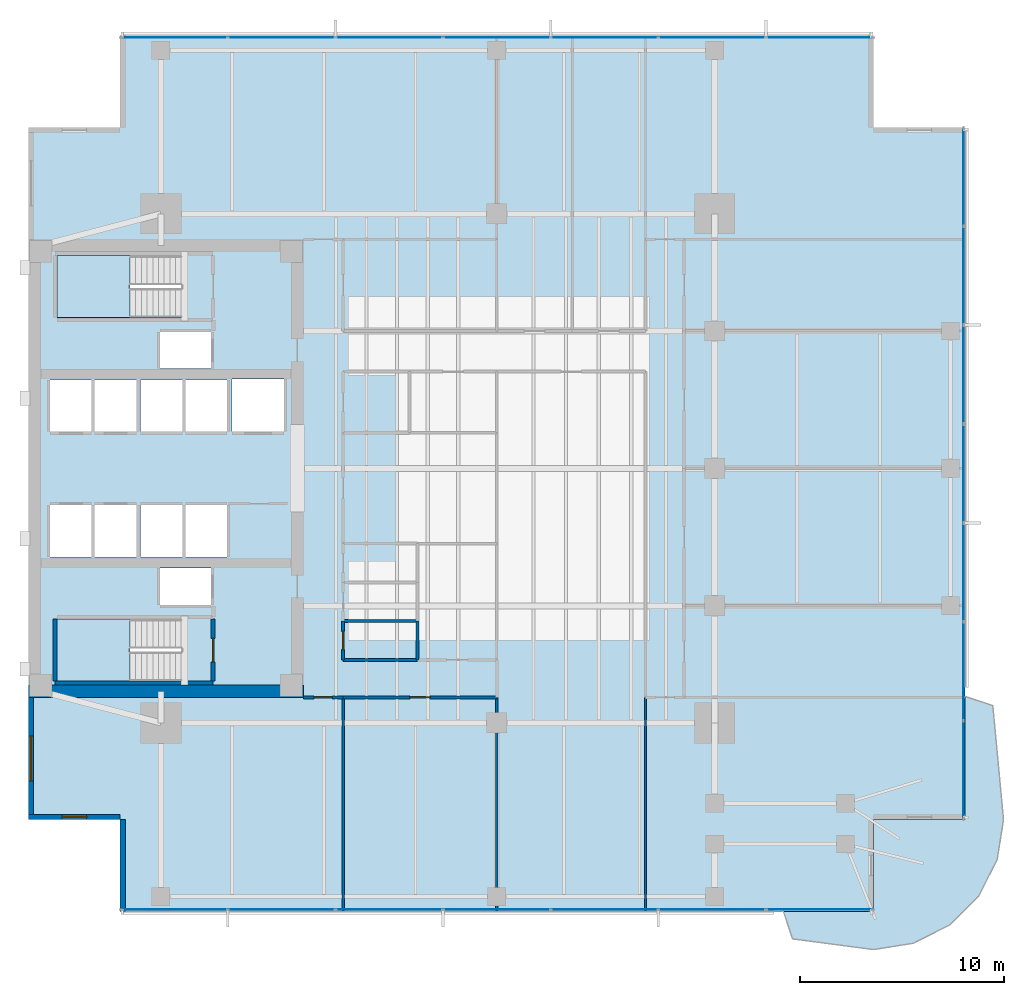
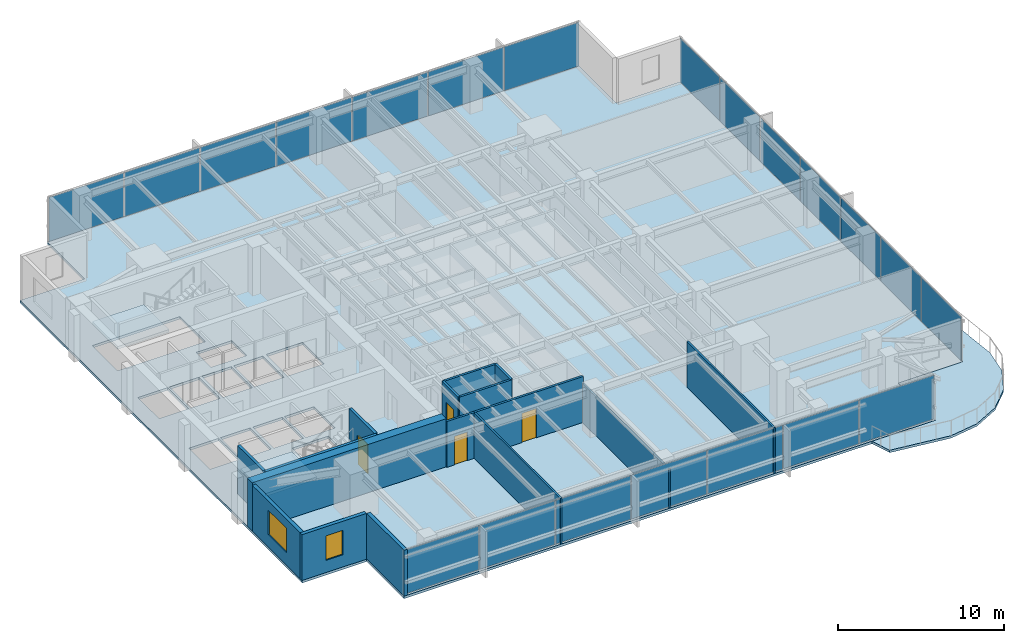
# One storey, part 7 of 14: 21 plates, 16 walls, 4 doors, 4 slabs, 2 windows, 6 openings, 5 elements without a shape of their own.
"""IFC4 building model written with IfcOpenShell, lengths in metres."""

from ifc_helpers import new_model, si_unit, direction, frame, frame_2d, origin, origin_2d, place, context, subcontext, project, spatial, polyline, rectangle, outline, extrude, material, layer, layer_set, type_object, element, fill, aggregate, save


model = new_model("IFC4")

# Units and contexts
model_context = context("Model", 3, precision=1e-05, world=origin(), true_north=direction((0.0, 1.0)))
body_context = subcontext(model_context, "Body", "Model", "MODEL_VIEW")
ifc_project = project(units=[si_unit("LENGTHUNIT", "METRE"), si_unit("AREAUNIT", "SQUARE_METRE"), si_unit("VOLUMEUNIT", "CUBIC_METRE"), si_unit("PLANEANGLEUNIT", "RADIAN"), si_unit("MASSUNIT", "GRAM", prefix="KILO")], contexts=[model_context])

# Site, building, storey
site_placement = place(None, origin())
site = spatial("IfcSite", under=ifc_project, at=site_placement, CompositionType="ELEMENT")
building_placement = place(site_placement, origin())
building = spatial("IfcBuilding", under=site, at=building_placement, Name="Kinhvarn Gate Tower", CompositionType="ELEMENT")
storey_placement = place(building_placement, frame((0.0, 0.0, 148.39990234375)))
storey = spatial("IfcBuildingStorey", under=building, at=storey_placement, Name="L39", CompositionType="ELEMENT", Elevation=148.39990234375)

# Curtain wall, plates
ifc_material_1 = material(Name="Anodised aluminium AW-6063", Category="aluminium")
ifc_layer_1 = layer(ifc_material_1, 0.179931640625)
ifc_layer_set_1 = layer_set([ifc_layer_1], Name="Anodised aluminium AW-6063")
curtain_wall_type = type_object("IfcCurtainWallType", Name="CW-SYS-3", PredefinedType="NOTDEFINED", material=ifc_layer_set_1)
curtain_wall_1_placement = place(storey_placement, origin())
curtain_wall_1 = element("IfcCurtainWall", 1, at=curtain_wall_1_placement, inside=storey, type_object=curtain_wall_type, Name="Curtain Wall CW3 (L39)", PredefinedType="NOTDEFINED")
ifc_material_2 = material(Name="Clear low-e double glazing", Category="glass")
ifc_layer_2 = layer(ifc_material_2, 0.031982421875)
ifc_layer_set_2 = layer_set([ifc_layer_2], Name="Clear low-e double glazing")
plate_type = type_object("IfcPlateType", Name="CW-PNL-VIS", PredefinedType="CURTAIN_PANEL", material=ifc_layer_set_2)
plate_1_placement = place(storey_placement, frame((11.6591796875, 3.590087890625, 0.070068359375), z_axis=(0.0, 0.0, 1.0), x_axis=(1.0, 0.0, 0.0)))
plate_1 = element("IfcPlate", 2, at=plate_1_placement, type_object=plate_type, Name="CW3 panel 1.1", PredefinedType="CURTAIN_PANEL", context=body_context, shape_type="SweptSolid", body=[
    extrude(rectangle(XDim=5.188232421875, YDim=0.031982421875, at=origin_2d()), origin(), (0.0, 0.0, 1.0), 3.22998046875),
])
plate_2_placement = place(storey_placement, frame((16.928466796875, 3.590087890625, 0.070068359375), z_axis=(0.0, 0.0, 1.0), x_axis=(1.0, 0.0, 0.0)))
plate_2 = element("IfcPlate", 3, at=plate_2_placement, type_object=plate_type, Name="CW3 panel 2.1", PredefinedType="CURTAIN_PANEL", context=body_context, shape_type="SweptSolid", body=[
    extrude(rectangle(XDim=5.220703125, YDim=0.031982421875, at=origin_2d()), origin(), (0.0, 0.0, 1.0), 3.22998046875),
])
plate_3_placement = place(storey_placement, frame((22.21435546875, 3.590087890625, 0.070068359375), z_axis=(0.0, 0.0, 1.0), x_axis=(1.0, 0.0, 0.0)))
plate_3 = element("IfcPlate", 4, at=plate_3_placement, type_object=plate_type, Name="CW3 panel 3.1", PredefinedType="CURTAIN_PANEL", context=body_context, shape_type="SweptSolid", body=[
    extrude(rectangle(XDim=5.220703125, YDim=0.031982421875, at=origin_2d()), origin(), (0.0, 0.0, 1.0), 3.22998046875),
])
plate_4_placement = place(storey_placement, frame((27.5, 3.590087890625, 0.070068359375), z_axis=(0.0, 0.0, 1.0), x_axis=(1.0, 0.0, 0.0)))
plate_4 = element("IfcPlate", 5, at=plate_4_placement, type_object=plate_type, Name="CW3 panel 4.1", PredefinedType="CURTAIN_PANEL", context=body_context, shape_type="SweptSolid", body=[
    extrude(rectangle(XDim=5.220703125, YDim=0.031982421875, at=origin_2d()), origin(), (0.0, 0.0, 1.0), 3.22998046875),
])
plate_5_placement = place(storey_placement, frame((32.78564453125, 3.590087890625, 0.070068359375), z_axis=(0.0, 0.0, 1.0), x_axis=(1.0, 0.0, 0.0)))
plate_5 = element("IfcPlate", 6, at=plate_5_placement, type_object=plate_type, Name="CW3 panel 5.1", PredefinedType="CURTAIN_PANEL", context=body_context, shape_type="SweptSolid", body=[
    extrude(rectangle(XDim=5.220703125, YDim=0.031982421875, at=origin_2d()), origin(), (0.0, 0.0, 1.0), 3.22998046875),
])
plate_6_placement = place(storey_placement, frame((38.071533203125, 3.590087890625, 0.070068359375), z_axis=(0.0, 0.0, 1.0), x_axis=(1.0, 0.0, 0.0)))
plate_6 = element("IfcPlate", 7, at=plate_6_placement, type_object=plate_type, Name="CW3 panel 6.1", PredefinedType="CURTAIN_PANEL", context=body_context, shape_type="SweptSolid", body=[
    extrude(rectangle(XDim=5.220703125, YDim=0.031982421875, at=origin_2d()), origin(), (0.0, 0.0, 1.0), 3.22998046875),
])
plate_7_placement = place(storey_placement, frame((43.3408203125, 3.590087890625, 0.070068359375), z_axis=(0.0, 0.0, 1.0), x_axis=(1.0, 0.0, 0.0)))
plate_7 = element("IfcPlate", 8, at=plate_7_placement, type_object=plate_type, Name="CW3 panel 7.1", PredefinedType="CURTAIN_PANEL", context=body_context, shape_type="SweptSolid", body=[
    extrude(rectangle(XDim=5.188232421875, YDim=0.031982421875, at=origin_2d()), origin(), (0.0, 0.0, 1.0), 3.22998046875),
])
aggregate(curtain_wall_1, [plate_1, plate_2, plate_3, plate_4, plate_5, plate_6, plate_7])

curtain_wall_2_placement = place(storey_placement, origin())
curtain_wall_2 = element("IfcCurtainWall", 9, at=curtain_wall_2_placement, inside=storey, type_object=curtain_wall_type, Name="Curtain Wall CW3 (L39)", PredefinedType="NOTDEFINED")
plate_8_placement = place(storey_placement, frame((43.3408203125, 46.409912109375, 0.070068359375), z_axis=(0.0, 0.0, 1.0), x_axis=(-1.0, 0.0, 0.0)))
plate_8 = element("IfcPlate", 10, at=plate_8_placement, type_object=plate_type, Name="CW3 panel 1.1", PredefinedType="CURTAIN_PANEL", context=body_context, shape_type="SweptSolid", body=[
    extrude(rectangle(XDim=5.188232421875, YDim=0.031982421875, at=origin_2d()), origin(), (0.0, 0.0, 1.0), 3.22998046875),
])
plate_9_placement = place(storey_placement, frame((38.071533203125, 46.409912109375, 0.070068359375), z_axis=(0.0, 0.0, 1.0), x_axis=(-1.0, 0.0, 0.0)))
plate_9 = element("IfcPlate", 11, at=plate_9_placement, type_object=plate_type, Name="CW3 panel 2.1", PredefinedType="CURTAIN_PANEL", context=body_context, shape_type="SweptSolid", body=[
    extrude(rectangle(XDim=5.220703125, YDim=0.031982421875, at=origin_2d()), origin(), (0.0, 0.0, 1.0), 3.22998046875),
])
plate_10_placement = place(storey_placement, frame((32.78564453125, 46.409912109375, 0.070068359375), z_axis=(0.0, 0.0, 1.0), x_axis=(-1.0, 0.0, 0.0)))
plate_10 = element("IfcPlate", 12, at=plate_10_placement, type_object=plate_type, Name="CW3 panel 3.1", PredefinedType="CURTAIN_PANEL", context=body_context, shape_type="SweptSolid", body=[
    extrude(rectangle(XDim=5.220703125, YDim=0.031982421875, at=origin_2d()), origin(), (0.0, 0.0, 1.0), 3.22998046875),
])
plate_11_placement = place(storey_placement, frame((27.5, 46.409912109375, 0.070068359375), z_axis=(0.0, 0.0, 1.0), x_axis=(-1.0, 0.0, 0.0)))
plate_11 = element("IfcPlate", 13, at=plate_11_placement, type_object=plate_type, Name="CW3 panel 4.1", PredefinedType="CURTAIN_PANEL", context=body_context, shape_type="SweptSolid", body=[
    extrude(rectangle(XDim=5.220703125, YDim=0.031982421875, at=origin_2d()), origin(), (0.0, 0.0, 1.0), 3.22998046875),
])
plate_12_placement = place(storey_placement, frame((22.21435546875, 46.409912109375, 0.070068359375), z_axis=(0.0, 0.0, 1.0), x_axis=(-1.0, 0.0, 0.0)))
plate_12 = element("IfcPlate", 14, at=plate_12_placement, type_object=plate_type, Name="CW3 panel 5.1", PredefinedType="CURTAIN_PANEL", context=body_context, shape_type="SweptSolid", body=[
    extrude(rectangle(XDim=5.220703125, YDim=0.031982421875, at=origin_2d()), origin(), (0.0, 0.0, 1.0), 3.22998046875),
])
plate_13_placement = place(storey_placement, frame((16.928466796875, 46.409912109375, 0.070068359375), z_axis=(0.0, 0.0, 1.0), x_axis=(-1.0, 0.0, 0.0)))
plate_13 = element("IfcPlate", 15, at=plate_13_placement, type_object=plate_type, Name="CW3 panel 6.1", PredefinedType="CURTAIN_PANEL", context=body_context, shape_type="SweptSolid", body=[
    extrude(rectangle(XDim=5.220703125, YDim=0.031982421875, at=origin_2d()), origin(), (0.0, 0.0, 1.0), 3.22998046875),
])
plate_14_placement = place(storey_placement, frame((11.6591796875, 46.409912109375, 0.070068359375), z_axis=(0.0, 0.0, 1.0), x_axis=(-1.0, 0.0, 0.0)))
plate_14 = element("IfcPlate", 16, at=plate_14_placement, type_object=plate_type, Name="CW3 panel 7.1", PredefinedType="CURTAIN_PANEL", context=body_context, shape_type="SweptSolid", body=[
    extrude(rectangle(XDim=5.188232421875, YDim=0.031982421875, at=origin_2d()), origin(), (0.0, 0.0, 1.0), 3.22998046875),
])
aggregate(curtain_wall_2, [plate_8, plate_9, plate_10, plate_11, plate_12, plate_13, plate_14])

curtain_wall_3_placement = place(storey_placement, origin())
curtain_wall_3 = element("IfcCurtainWall", 17, at=curtain_wall_3_placement, inside=storey, type_object=curtain_wall_type, Name="Curtain Wall CW3 (L39)", PredefinedType="NOTDEFINED")
plate_15_placement = place(storey_placement, frame((50.409912109375, 10.44482421875, 0.070068359375), z_axis=(0.0, 0.0, 1.0), x_axis=(0.0, 1.0, 0.0)))
plate_15 = element("IfcPlate", 18, at=plate_15_placement, type_object=plate_type, Name="CW3 panel 1.1", PredefinedType="CURTAIN_PANEL", context=body_context, shape_type="SweptSolid", body=[
    extrude(rectangle(XDim=4.759521484375, YDim=0.031982421875, at=origin_2d()), origin(), (0.0, 0.0, 1.0), 3.22998046875),
])
plate_16_placement = place(storey_placement, frame((50.409912109375, 15.28564453125, 0.070068359375), z_axis=(0.0, 0.0, 1.0), x_axis=(0.0, 1.0, 0.0)))
plate_16 = element("IfcPlate", 19, at=plate_16_placement, type_object=plate_type, Name="CW3 panel 2.1", PredefinedType="CURTAIN_PANEL", context=body_context, shape_type="SweptSolid", body=[
    extrude(rectangle(XDim=4.792236328125, YDim=0.031982421875, at=origin_2d()), origin(), (0.0, 0.0, 1.0), 3.22998046875),
])
plate_17_placement = place(storey_placement, frame((50.409912109375, 20.142822265625, 0.070068359375), z_axis=(0.0, 0.0, 1.0), x_axis=(0.0, 1.0, 0.0)))
plate_17 = element("IfcPlate", 20, at=plate_17_placement, type_object=plate_type, Name="CW3 panel 3.1", PredefinedType="CURTAIN_PANEL", context=body_context, shape_type="SweptSolid", body=[
    extrude(rectangle(XDim=4.792236328125, YDim=0.031982421875, at=origin_2d()), origin(), (0.0, 0.0, 1.0), 3.22998046875),
])
plate_18_placement = place(storey_placement, frame((50.409912109375, 25.0, 0.070068359375), z_axis=(0.0, 0.0, 1.0), x_axis=(0.0, 1.0, 0.0)))
plate_18 = element("IfcPlate", 21, at=plate_18_placement, type_object=plate_type, Name="CW3 panel 4.1", PredefinedType="CURTAIN_PANEL", context=body_context, shape_type="SweptSolid", body=[
    extrude(rectangle(XDim=4.792236328125, YDim=0.031982421875, at=origin_2d()), origin(), (0.0, 0.0, 1.0), 3.22998046875),
])
plate_19_placement = place(storey_placement, frame((50.409912109375, 29.857177734375, 0.070068359375), z_axis=(0.0, 0.0, 1.0), x_axis=(0.0, 1.0, 0.0)))
plate_19 = element("IfcPlate", 22, at=plate_19_placement, type_object=plate_type, Name="CW3 panel 5.1", PredefinedType="CURTAIN_PANEL", context=body_context, shape_type="SweptSolid", body=[
    extrude(rectangle(XDim=4.792236328125, YDim=0.031982421875, at=origin_2d()), origin(), (0.0, 0.0, 1.0), 3.22998046875),
])
plate_20_placement = place(storey_placement, frame((50.409912109375, 34.71435546875, 0.070068359375), z_axis=(0.0, 0.0, 1.0), x_axis=(0.0, 1.0, 0.0)))
plate_20 = element("IfcPlate", 23, at=plate_20_placement, type_object=plate_type, Name="CW3 panel 6.1", PredefinedType="CURTAIN_PANEL", context=body_context, shape_type="SweptSolid", body=[
    extrude(rectangle(XDim=4.792236328125, YDim=0.031982421875, at=origin_2d()), origin(), (0.0, 0.0, 1.0), 3.22998046875),
])
plate_21_placement = place(storey_placement, frame((50.409912109375, 39.55517578125, 0.070068359375), z_axis=(0.0, 0.0, 1.0), x_axis=(0.0, 1.0, 0.0)))
plate_21 = element("IfcPlate", 24, at=plate_21_placement, type_object=plate_type, Name="CW3 panel 7.1", PredefinedType="CURTAIN_PANEL", context=body_context, shape_type="SweptSolid", body=[
    extrude(rectangle(XDim=4.759521484375, YDim=0.031982421875, at=origin_2d()), origin(), (0.0, 0.0, 1.0), 3.22998046875),
])
aggregate(curtain_wall_3, [plate_15, plate_16, plate_17, plate_18, plate_19, plate_20, plate_21])

# Slabs
ifc_material_3 = material(Name="Precast white architectural concrete C40/50", Category="concrete")
ifc_layer_3 = layer(ifc_material_3, 0.179931640625)
ifc_layer_set_3 = layer_set([ifc_layer_3], Name="Precast white architectural concrete C40/50")
slab_type_1 = type_object("IfcSlabType", Name="SLB-BAL-180", PredefinedType="FLOOR", material=ifc_layer_set_3)
slab_1_placement = place(storey_placement, frame((0.0, 0.0, -0.179931640625)))
element("IfcSlab", 25, at=slab_1_placement, inside=storey, type_object=slab_type_1, Name="S-Carve Curved Terrace Balcony Slab L39 (SE)", PredefinedType="FLOOR", context=body_context, shape_type="SweptSolid", body=[
    extrude(outline(polyline([(41.569091796875, 3.5), (42.01904296875, 2.145751953125), (46.0, 1.618896484375), (47.9716796875, 1.931396484375), (49.750732421875, 2.837646484375), (51.162353515625, 4.249267578125), (52.068603515625, 6.0283203125), (52.381103515625, 8.0), (51.854248046875, 13.59912109375), (50.5, 14.049072265625), (50.5, 8.0), (46.0, 8.0), (46.0, 3.5), (41.569091796875, 3.5)])), origin(), (0.0, 0.0, 1.0), 0.179931640625),
])
ifc_material_4 = material(Name="Concrete C40/50", Category="concrete")
ifc_layer_4 = layer(ifc_material_4, 0.179931640625)
ifc_layer_set_4 = layer_set([ifc_layer_4], Name="Concrete C40/50")
slab_type_2 = type_object("IfcSlabType", Name="SLB-FLR-180", PredefinedType="FLOOR", material=ifc_layer_set_4)
slab_2_placement = place(storey_placement, frame((0.0, 0.0, -0.179931640625)))
element("IfcSlab", 26, at=slab_2_placement, inside=storey, type_object=slab_type_2, Name="Suspended Floor Slab L39", PredefinedType="FLOOR", context=body_context, shape_type="SweptSolid", body=[
    extrude(outline(polyline([(9.0, 3.5), (46.0, 3.5), (46.0, 8.0), (50.5, 8.0), (50.5, 42.0), (46.0, 42.0), (46.0, 46.5), (9.0, 46.5), (9.0, 42.0), (4.5, 42.0), (4.5, 8.0), (9.0, 8.0), (9.0, 3.5)]), holes=[polyline([(5.89990234375, 14.800048828125), (12.0, 14.800048828125), (12.0, 17.85009765625), (5.89990234375, 17.85009765625), (5.89990234375, 14.800048828125)]), polyline([(5.89990234375, 32.64990234375), (12.0, 32.64990234375), (12.0, 35.699951171875), (5.89990234375, 35.699951171875), (5.89990234375, 32.64990234375)]), polyline([(5.550048828125, 20.89990234375), (7.60009765625, 20.89990234375), (7.60009765625, 23.449951171875), (5.550048828125, 23.449951171875), (5.550048828125, 20.89990234375)]), polyline([(7.75, 20.89990234375), (9.800048828125, 20.89990234375), (9.800048828125, 23.449951171875), (7.75, 23.449951171875), (7.75, 20.89990234375)]), polyline([(5.550048828125, 27.050048828125), (7.60009765625, 27.050048828125), (7.60009765625, 29.60009765625), (5.550048828125, 29.60009765625), (5.550048828125, 27.050048828125)]), polyline([(7.75, 27.050048828125), (9.800048828125, 27.050048828125), (9.800048828125, 29.60009765625), (7.75, 29.60009765625), (7.75, 27.050048828125)]), polyline([(10.0, 20.89990234375), (12.050048828125, 20.89990234375), (12.050048828125, 23.449951171875), (10.0, 23.449951171875), (10.0, 20.89990234375)]), polyline([(12.199951171875, 20.89990234375), (14.25, 20.89990234375), (14.25, 23.449951171875), (12.199951171875, 23.449951171875), (12.199951171875, 20.89990234375)]), polyline([(10.0, 27.050048828125), (12.050048828125, 27.050048828125), (12.050048828125, 29.60009765625), (10.0, 29.60009765625), (10.0, 27.050048828125)]), polyline([(12.199951171875, 27.050048828125), (14.25, 27.050048828125), (14.25, 29.60009765625), (12.199951171875, 29.60009765625), (12.199951171875, 27.050048828125)]), polyline([(14.5, 27.050048828125), (17.050048828125, 27.050048828125), (17.050048828125, 29.64990234375), (14.5, 29.64990234375), (14.5, 27.050048828125)]), polyline([(10.949951171875, 18.550048828125), (13.449951171875, 18.550048828125), (13.449951171875, 20.35009765625), (10.949951171875, 20.35009765625), (10.949951171875, 18.550048828125)]), polyline([(10.949951171875, 30.14990234375), (13.449951171875, 30.14990234375), (13.449951171875, 31.949951171875), (10.949951171875, 31.949951171875), (10.949951171875, 30.14990234375)])]), origin(), (0.0, 0.0, 1.0), 0.179931640625),
])

# Stair, slab
stair_type = type_object("IfcStairType", Name="STR-DLG-177", PredefinedType="HALF_TURN_STAIR", material=ifc_material_4)
stair_1_placement = place(storey_placement, origin())
stair_1 = element("IfcStair", 27, at=stair_1_placement, inside=storey, type_object=stair_type, Name="L39 Core Smokeproof Exit Stair ST1", PredefinedType="HALF_TURN_STAIR")
ifc_layer_5 = layer(ifc_material_4, 0.199951171875)
ifc_layer_set_5 = layer_set([ifc_layer_5], Name="Concrete C40/50")
slab_type_3 = type_object("IfcSlabType", Name="SLB-ST-LND", PredefinedType="LANDING", material=ifc_layer_set_5)
slab_3_placement = place(storey_placement, frame((0.0, 0.0, 1.5751953125)))
slab_3 = element("IfcSlab", 28, at=slab_3_placement, type_object=slab_type_3, Name="ST1 landing 1", PredefinedType="LANDING", context=body_context, shape_type="SweptSolid", body=[
    extrude(outline(polyline([(9.47998046875, 17.85009765625), (5.89990234375, 17.85009765625), (5.89990234375, 14.800048828125), (9.47998046875, 14.800048828125), (9.47998046875, 17.85009765625)])), origin(), (0.0, 0.0, 1.0), 0.199951171875),
])
aggregate(stair_1, [slab_3])

stair_2_placement = place(storey_placement, origin())
stair_2 = element("IfcStair", 29, at=stair_2_placement, inside=storey, type_object=stair_type, Name="L39 Core Smokeproof Exit Stair ST2", PredefinedType="HALF_TURN_STAIR")
slab_4_placement = place(storey_placement, frame((0.0, 0.0, 1.5751953125)))
slab_4 = element("IfcSlab", 30, at=slab_4_placement, type_object=slab_type_3, Name="ST2 landing 1", PredefinedType="LANDING", context=body_context, shape_type="SweptSolid", body=[
    extrude(outline(polyline([(9.47998046875, 35.699951171875), (5.89990234375, 35.699951171875), (5.89990234375, 32.64990234375), (9.47998046875, 32.64990234375), (9.47998046875, 35.699951171875)])), origin(), (0.0, 0.0, 1.0), 0.199951171875),
])
aggregate(stair_2, [slab_4])

# Wall
ifc_material_5 = material(Name="Concrete C60/75", Category="concrete")
ifc_layer_6 = layer(ifc_material_5, 0.60009765625)
ifc_layer_set_6 = layer_set([ifc_layer_6], Name="Concrete C60/75")
wall_type_1 = type_object("IfcWallType", Name="WL-CORE-600", PredefinedType="SHEAR", material=ifc_layer_set_6)
wall_1_placement = place(storey_placement, frame((4.5, 14.300048828125, 0.0), z_axis=(0.0, 0.0, 1.0), x_axis=(1.0, 0.0, 0.0)))
element("IfcWall", 31, at=wall_1_placement, inside=storey, type_object=wall_type_1, Name="Core South Shear Wall L39 600 mm", PredefinedType="SHEAR", context=body_context, shape_type="SweptSolid", body=[
    extrude(rectangle(XDim=13.5, YDim=0.60009765625, at=frame_2d((6.75, 0.0))), origin(), (0.0, 0.0, 1.0), 3.550048828125),
])

# Wall, opening, window
ifc_material_6 = material(Name="Fired architectural terracotta", Category="masonry")
ifc_layer_7 = layer(ifc_material_6, 0.25)
ifc_layer_set_7 = layer_set([ifc_layer_7], Name="Fired architectural terracotta")
wall_type_2 = type_object("IfcWallType", Name="WL-EXT-250", PredefinedType="SOLIDWALL", material=ifc_layer_set_7)
wall_2_placement = place(storey_placement, frame((4.625, 14.0, 0.0), z_axis=(0.0, 0.0, 1.0), x_axis=(0.0, -1.0, 0.0)))
wall_2 = element("IfcWall", 32, at=wall_2_placement, inside=storey, type_object=wall_type_2, Name="Exterior Solidwall Wall EW-250 (L39 West-South)", PredefinedType="SOLIDWALL", context=body_context, shape_type="SweptSolid", body=[
    extrude(rectangle(XDim=6.0, YDim=0.25, at=frame_2d((3.0, 0.0))), origin(), (0.0, 0.0, 1.0), 3.3701171875),
])
opening_1_placement = place(wall_2_placement, frame((1.89990234375, 0.0, 0.89990234375)))
opening_1 = element("IfcOpeningElement", 33, at=opening_1_placement, cuts=wall_2, Name="Opening WN-01", PredefinedType="OPENING", context=body_context, shape_type="SweptSolid", body=[
    extrude(rectangle(XDim=2.199951171875, YDim=1.800048828125, at=frame_2d((1.10009765625, 0.89990234375))), frame((0.0, 0.135009765625, 0.0), z_axis=(0.0, -1.0, 0.0), x_axis=(1.0, 0.0, 0.0)), (0.0, 0.0, 1.0), 0.27001953125),
])
window_type_1 = type_object("IfcWindowType", Name="WIN-RIB-2200", PartitioningType="SINGLE_PANEL", PredefinedType="WINDOW", material=ifc_material_2)
window_1_placement = place(opening_1_placement, origin())
window_1 = element("IfcWindow", 34, at=window_1_placement, inside=storey, type_object=window_type_1, Name="West Flank Double-Glazed Ribbon Window 2200x1800 mm (L39)", OverallHeight=1.800048828125, OverallWidth=2.199951171875, PartitioningType="SINGLE_PANEL", PredefinedType="WINDOW", context=body_context, shape_type="SweptSolid", body=[
    extrude(rectangle(XDim=2.199951171875, YDim=1.800048828125, at=frame_2d((1.10009765625, 0.89990234375))), frame((0.0, 0.030029296875, 0.0), z_axis=(0.0, -1.0, 0.0), x_axis=(1.0, 0.0, 0.0)), (0.0, 0.0, 1.0), 0.06005859375),
])
fill(opening_1, window_1)

wall_3_placement = place(storey_placement, frame((4.5, 8.125, 0.0), z_axis=(0.0, 0.0, 1.0), x_axis=(1.0, 0.0, 0.0)))
wall_3 = element("IfcWall", 35, at=wall_3_placement, inside=storey, type_object=wall_type_2, Name="Exterior Solidwall Wall EW-250 (L39 SW-Notch-1)", PredefinedType="SOLIDWALL", context=body_context, shape_type="SweptSolid", body=[
    extrude(rectangle(XDim=4.5, YDim=0.25, at=frame_2d((2.25, 0.0))), origin(), (0.0, 0.0, 1.0), 3.3701171875),
])
opening_2_placement = place(wall_3_placement, frame((1.64990234375, 0.0, 0.89990234375)))
opening_2 = element("IfcOpeningElement", 36, at=opening_2_placement, cuts=wall_3, Name="Opening WN-02", PredefinedType="OPENING", context=body_context, shape_type="SweptSolid", body=[
    extrude(rectangle(XDim=1.199951171875, YDim=1.800048828125, at=frame_2d((0.60009765625, 0.89990234375))), frame((0.0, 0.135009765625, 0.0), z_axis=(0.0, -1.0, 0.0), x_axis=(1.0, 0.0, 0.0)), (0.0, 0.0, 1.0), 0.27001953125),
])
window_type_2 = type_object("IfcWindowType", Name="WIN-NTC-1200", PartitioningType="SINGLE_PANEL", PredefinedType="WINDOW", material=ifc_material_2)
window_2_placement = place(opening_2_placement, origin())
window_2 = element("IfcWindow", 37, at=window_2_placement, inside=storey, type_object=window_type_2, Name="Recessed Corner Notch Punched Window 1200x1800 mm (L39)", OverallHeight=1.800048828125, OverallWidth=1.199951171875, PartitioningType="SINGLE_PANEL", PredefinedType="WINDOW", context=body_context, shape_type="SweptSolid", body=[
    extrude(rectangle(XDim=1.199951171875, YDim=1.800048828125, at=frame_2d((0.60009765625, 0.89990234375))), frame((0.0, 0.030029296875, 0.0), z_axis=(0.0, -1.0, 0.0), x_axis=(1.0, 0.0, 0.0)), (0.0, 0.0, 1.0), 0.06005859375),
])
fill(opening_2, window_2)

# Walls
wall_4_placement = place(storey_placement, frame((9.125, 8.0, 0.0), z_axis=(0.0, 0.0, 1.0), x_axis=(0.0, -1.0, 0.0)))
element("IfcWall", 38, at=wall_4_placement, inside=storey, type_object=wall_type_2, Name="Exterior Solidwall Wall EW-250 (L39 SW-Notch-2)", PredefinedType="SOLIDWALL", context=body_context, shape_type="SweptSolid", body=[
    extrude(rectangle(XDim=4.5, YDim=0.25, at=frame_2d((2.25, 0.0))), origin(), (0.0, 0.0, 1.0), 3.3701171875),
])
ifc_material_7 = material(Name="Gypsum acoustic partition board")
ifc_layer_8 = layer(ifc_material_7, 0.14990234375)
ifc_layer_set_8 = layer_set([ifc_layer_8], Name="Gypsum acoustic partition board")
wall_type_3 = type_object("IfcWallType", Name="WL-PLM-150", PredefinedType="PLUMBINGWALL", material=ifc_layer_set_8)
wall_5_placement = place(storey_placement, frame((19.949951171875, 17.75, 0.0), z_axis=(0.0, 0.0, 1.0), x_axis=(1.0, 0.0, 0.0)))
element("IfcWall", 39, at=wall_5_placement, inside=storey, type_object=wall_type_3, Name="Interior Partition PLW-150 (L39)", PredefinedType="PLUMBINGWALL", context=body_context, shape_type="SweptSolid", body=[
    extrude(rectangle(XDim=3.650146484375, YDim=0.14990234375, at=frame_2d((1.8251953125, 0.0))), origin(), (0.0, 0.0, 1.0), 3.3701171875),
])
wall_6_placement = place(storey_placement, frame((23.60009765625, 15.85009765625, 0.0), z_axis=(0.0, 0.0, 1.0), x_axis=(0.0, 1.0, 0.0)))
element("IfcWall", 40, at=wall_6_placement, inside=storey, type_object=wall_type_3, Name="Interior Partition PLW-150 (L39)", PredefinedType="PLUMBINGWALL", context=body_context, shape_type="SweptSolid", body=[
    extrude(rectangle(XDim=1.89990234375, YDim=0.14990234375, at=frame_2d((0.949951171875, 0.0))), origin(), (0.0, 0.0, 1.0), 3.3701171875),
])

# Wall, opening, door
ifc_layer_9 = layer(ifc_material_7, 0.14990234375)
ifc_layer_set_9 = layer_set([ifc_layer_9], Name="Gypsum acoustic partition board")
wall_type_4 = type_object("IfcWallType", Name="WL-PLM-150F", PredefinedType="PLUMBINGWALL", material=ifc_layer_set_9)
wall_7_placement = place(storey_placement, frame((19.949951171875, 15.85009765625, 0.0), z_axis=(0.0, 0.0, 1.0), x_axis=(0.0, 1.0, 0.0)))
wall_7 = element("IfcWall", 41, at=wall_7_placement, inside=storey, type_object=wall_type_4, Name="Interior Partition PLW-150F (L39)", PredefinedType="PLUMBINGWALL", context=body_context, shape_type="SweptSolid", body=[
    extrude(rectangle(XDim=1.89990234375, YDim=0.14990234375, at=frame_2d((0.949951171875, 0.0))), origin(), (0.0, 0.0, 1.0), 3.3701171875),
])
opening_3_placement = place(wall_7_placement, frame((0.5, 0.0, 0.0)))
opening_3 = element("IfcOpeningElement", 42, at=opening_3_placement, cuts=wall_7, Name="Opening FD-04", PredefinedType="OPENING", context=body_context, shape_type="SweptSolid", body=[
    extrude(rectangle(XDim=0.89990234375, YDim=2.10009765625, at=frame_2d((0.449951171875, 1.050048828125))), frame((0.0, 0.0849609375, 0.0), z_axis=(0.0, -1.0, 0.0), x_axis=(1.0, 0.0, 0.0)), (0.0, 0.0, 1.0), 0.169921875),
])
door_type_1 = type_object("IfcDoorType", Name="DR-FD-900", OperationType="NOTDEFINED", PredefinedType="DOOR", material=ifc_material_1)
door_1_placement = place(opening_3_placement, origin())
door_1 = element("IfcDoor", 43, at=door_1_placement, inside=storey, type_object=door_type_1, Name="Rated Riser & Service Closet Fire Door 900x2100 mm (L39)", OperationType="SINGLE_SWING_RIGHT", OverallHeight=2.10009765625, OverallWidth=0.89990234375, PredefinedType="DOOR", context=body_context, shape_type="SweptSolid", body=[
    extrude(rectangle(XDim=0.89990234375, YDim=2.10009765625, at=frame_2d((0.449951171875, 1.050048828125))), frame((0.0, 0.02490234375, 0.0), z_axis=(0.0, -1.0, 0.0), x_axis=(1.0, 0.0, 0.0)), (0.0, 0.0, 1.0), 0.050048828125),
])
fill(opening_3, door_1)

# Walls
wall_8_placement = place(storey_placement, frame((19.949951171875, 15.85009765625, 0.0), z_axis=(0.0, 0.0, 1.0), x_axis=(1.0, 0.0, 0.0)))
element("IfcWall", 44, at=wall_8_placement, inside=storey, type_object=wall_type_4, Name="Interior Partition PLW-150F (L39)", PredefinedType="PLUMBINGWALL", context=body_context, shape_type="SweptSolid", body=[
    extrude(rectangle(XDim=3.650146484375, YDim=0.14990234375, at=frame_2d((1.8251953125, 0.0))), origin(), (0.0, 0.0, 1.0), 3.3701171875),
])
ifc_layer_10 = layer(ifc_material_7, 0.1201171875)
ifc_layer_set_10 = layer_set([ifc_layer_10], Name="Gypsum acoustic partition board")
wall_type_5 = type_object("IfcWallType", Name="WL-PRT-120", PredefinedType="PARTITIONING", material=ifc_layer_set_10)
wall_9_placement = place(storey_placement, frame((19.949951171875, 3.510009765625, 0.0), z_axis=(0.0, 0.0, 1.0), x_axis=(0.0, 1.0, 0.0)))
element("IfcWall", 45, at=wall_9_placement, inside=storey, type_object=wall_type_5, Name="Interior Partition PW-120 (L39)", PredefinedType="PARTITIONING", context=body_context, shape_type="SweptSolid", body=[
    extrude(rectangle(XDim=10.489990234375, YDim=0.1201171875, at=frame_2d((5.2451171875, 0.0))), origin(), (0.0, 0.0, 1.0), 3.3701171875),
])
wall_10_placement = place(storey_placement, frame((27.5, 3.510009765625, 0.0), z_axis=(0.0, 0.0, 1.0), x_axis=(0.0, 1.0, 0.0)))
element("IfcWall", 46, at=wall_10_placement, inside=storey, type_object=wall_type_5, Name="Interior Partition PW-120 (L39)", PredefinedType="PARTITIONING", context=body_context, shape_type="SweptSolid", body=[
    extrude(rectangle(XDim=10.489990234375, YDim=0.1201171875, at=frame_2d((5.2451171875, 0.0))), origin(), (0.0, 0.0, 1.0), 2.8701171875),
])
wall_11_placement = place(storey_placement, frame((34.800048828125, 3.510009765625, 0.0), z_axis=(0.0, 0.0, 1.0), x_axis=(0.0, 1.0, 0.0)))
element("IfcWall", 47, at=wall_11_placement, inside=storey, type_object=wall_type_5, Name="Interior Partition PW-120 (L39)", PredefinedType="PARTITIONING", context=body_context, shape_type="SweptSolid", body=[
    extrude(rectangle(XDim=10.489990234375, YDim=0.1201171875, at=frame_2d((5.2451171875, 0.0))), origin(), (0.0, 0.0, 1.0), 3.3701171875),
])

# Wall, opening, door
ifc_layer_11 = layer(ifc_material_7, 0.14990234375)
ifc_layer_set_11 = layer_set([ifc_layer_11], Name="Gypsum acoustic partition board")
wall_type_6 = type_object("IfcWallType", Name="WL-PRT-150F", PredefinedType="PARTITIONING", material=ifc_layer_set_11)
wall_12_placement = place(storey_placement, frame((18.0, 14.0, 0.0), z_axis=(0.0, 0.0, 1.0), x_axis=(1.0, 0.0, 0.0)))
wall_12 = element("IfcWall", 48, at=wall_12_placement, inside=storey, type_object=wall_type_6, Name="Interior Partition PW-150F (L39)", PredefinedType="PARTITIONING", context=body_context, shape_type="SweptSolid", body=[
    extrude(rectangle(XDim=1.949951171875, YDim=0.14990234375, at=frame_2d((0.97509765625, 0.0))), origin(), (0.0, 0.0, 1.0), 3.3701171875),
])
opening_4_placement = place(wall_12_placement, frame((0.52490234375, 0.0, 0.0)))
opening_4 = element("IfcOpeningElement", 49, at=opening_4_placement, cuts=wall_12, Name="Opening ID-03", PredefinedType="OPENING", context=body_context, shape_type="SweptSolid", body=[
    extrude(rectangle(XDim=0.89990234375, YDim=2.10009765625, at=frame_2d((0.449951171875, 1.050048828125))), frame((0.0, 0.0849609375, 0.0), z_axis=(0.0, -1.0, 0.0), x_axis=(1.0, 0.0, 0.0)), (0.0, 0.0, 1.0), 0.169921875),
])
door_type_2 = type_object("IfcDoorType", Name="DR-INT-900", OperationType="NOTDEFINED", PredefinedType="DOOR", material=ifc_material_1)
door_2_placement = place(opening_4_placement, origin())
door_2 = element("IfcDoor", 50, at=door_2_placement, inside=storey, type_object=door_type_2, Name="Cellular Office & Restroom Door 900x2100 mm (L39)", OperationType="SINGLE_SWING_RIGHT", OverallHeight=2.10009765625, OverallWidth=0.89990234375, PredefinedType="DOOR", context=body_context, shape_type="SweptSolid", body=[
    extrude(rectangle(XDim=0.89990234375, YDim=2.10009765625, at=frame_2d((0.449951171875, 1.050048828125))), frame((0.0, 0.02490234375, 0.0), z_axis=(0.0, -1.0, 0.0), x_axis=(1.0, 0.0, 0.0)), (0.0, 0.0, 1.0), 0.050048828125),
])
fill(opening_4, door_2)

wall_13_placement = place(storey_placement, frame((19.949951171875, 14.0, 0.0), z_axis=(0.0, 0.0, 1.0), x_axis=(1.0, 0.0, 0.0)))
wall_13 = element("IfcWall", 51, at=wall_13_placement, inside=storey, type_object=wall_type_6, Name="Interior Partition PW-150F (L39)", PredefinedType="PARTITIONING", context=body_context, shape_type="SweptSolid", body=[
    extrude(rectangle(XDim=7.550048828125, YDim=0.14990234375, at=frame_2d((3.77490234375, 0.0))), origin(), (0.0, 0.0, 1.0), 3.3701171875),
])
opening_5_placement = place(wall_13_placement, frame((3.27490234375, 0.0, 0.0)))
opening_5 = element("IfcOpeningElement", 52, at=opening_5_placement, cuts=wall_13, Name="Opening ID-02", PredefinedType="OPENING", context=body_context, shape_type="SweptSolid", body=[
    extrude(rectangle(XDim=1.0, YDim=2.14990234375, at=frame_2d((0.5, 1.074951171875))), frame((0.0, 0.0849609375, 0.0), z_axis=(0.0, -1.0, 0.0), x_axis=(1.0, 0.0, 0.0)), (0.0, 0.0, 1.0), 0.169921875),
])
door_type_3 = type_object("IfcDoorType", Name="DR-INT-1000", OperationType="NOTDEFINED", PredefinedType="DOOR", material=ifc_material_1)
door_3_placement = place(opening_5_placement, origin())
door_3 = element("IfcDoor", 53, at=door_3_placement, inside=storey, type_object=door_type_3, Name="Standard Office & Meeting Room Door 1000x2150 mm (L39)", OperationType="SINGLE_SWING_LEFT", OverallHeight=2.14990234375, OverallWidth=1.0, PredefinedType="DOOR", context=body_context, shape_type="SweptSolid", body=[
    extrude(rectangle(XDim=1.0, YDim=2.14990234375, at=frame_2d((0.5, 1.074951171875))), frame((0.0, 0.02490234375, 0.0), z_axis=(0.0, -1.0, 0.0), x_axis=(1.0, 0.0, 0.0)), (0.0, 0.0, 1.0), 0.050048828125),
])
fill(opening_5, door_3)

# Walls
ifc_layer_12 = layer(ifc_material_4, 0.199951171875)
ifc_layer_set_12 = layer_set([ifc_layer_12], Name="Concrete C40/50")
wall_type_7 = type_object("IfcWallType", Name="WL-SHF-200", PredefinedType="SOLIDWALL", material=ifc_layer_set_12)
wall_14_placement = place(storey_placement, frame((5.800048828125, 14.699951171875, 0.0), z_axis=(0.0, 0.0, 1.0), x_axis=(1.0, 0.0, 0.0)))
element("IfcWall", 54, at=wall_14_placement, inside=storey, type_object=wall_type_7, Name="Stair ST1 South Shaft Wall (L39)", PredefinedType="SOLIDWALL", context=body_context, shape_type="SweptSolid", body=[
    extrude(rectangle(XDim=7.75, YDim=0.199951171875, at=frame_2d((3.875, 0.0))), origin(), (0.0, 0.0, 1.0), 3.550048828125),
])
wall_15_placement = place(storey_placement, frame((5.7900390625, 14.800048828125, 0.0), z_axis=(0.0, 0.0, 1.0), x_axis=(0.0, 1.0, 0.0)))
element("IfcWall", 55, at=wall_15_placement, inside=storey, type_object=wall_type_7, Name="Stair ST1 West Shaft Wall (L39)", PredefinedType="SOLIDWALL", context=body_context, shape_type="SweptSolid", body=[
    extrude(rectangle(XDim=3.050048828125, YDim=0.199951171875, at=frame_2d((1.52490234375, 0.0))), origin(), (0.0, 0.0, 1.0), 3.550048828125),
])

# Wall, opening, door
wall_16_placement = place(storey_placement, frame((13.56005859375, 14.800048828125, 0.0), z_axis=(0.0, 0.0, 1.0), x_axis=(0.0, 1.0, 0.0)))
wall_16 = element("IfcWall", 56, at=wall_16_placement, inside=storey, type_object=wall_type_7, Name="Stair ST1 East Entry Wall (L39)", PredefinedType="SOLIDWALL", context=body_context, shape_type="SweptSolid", body=[
    extrude(rectangle(XDim=3.050048828125, YDim=0.199951171875, at=frame_2d((1.52490234375, 0.0))), origin(), (0.0, 0.0, 1.0), 3.550048828125),
])
opening_6_placement = place(wall_16_placement, frame((0.949951171875, 0.0, 0.0)))
opening_6 = element("IfcOpeningElement", 57, at=opening_6_placement, cuts=wall_16, Name="Opening FD-01", PredefinedType="OPENING", context=body_context, shape_type="SweptSolid", body=[
    extrude(rectangle(XDim=1.14990234375, YDim=2.14990234375, at=frame_2d((0.574951171875, 1.074951171875))), frame((0.0, 0.10986328125, 0.0), z_axis=(0.0, -1.0, 0.0), x_axis=(1.0, 0.0, 0.0)), (0.0, 0.0, 1.0), 0.219970703125),
])
door_type_4 = type_object("IfcDoorType", Name="DR-ST-1150", OperationType="NOTDEFINED", PredefinedType="DOOR", material=ifc_material_1)
door_4_placement = place(opening_6_placement, origin())
door_4 = element("IfcDoor", 58, at=door_4_placement, inside=storey, type_object=door_type_4, Name="Exit Stair ST1 Fire Door (L39)", OperationType="SINGLE_SWING_LEFT", OverallHeight=2.14990234375, OverallWidth=1.14990234375, PredefinedType="DOOR", context=body_context, shape_type="SweptSolid", body=[
    extrude(rectangle(XDim=1.14990234375, YDim=2.14990234375, at=frame_2d((0.574951171875, 1.074951171875))), frame((0.0, 0.02490234375, 0.0), z_axis=(0.0, -1.0, 0.0), x_axis=(1.0, 0.0, 0.0)), (0.0, 0.0, 1.0), 0.050048828125),
])
fill(opening_6, door_4)

save(model, "model.ifc")
